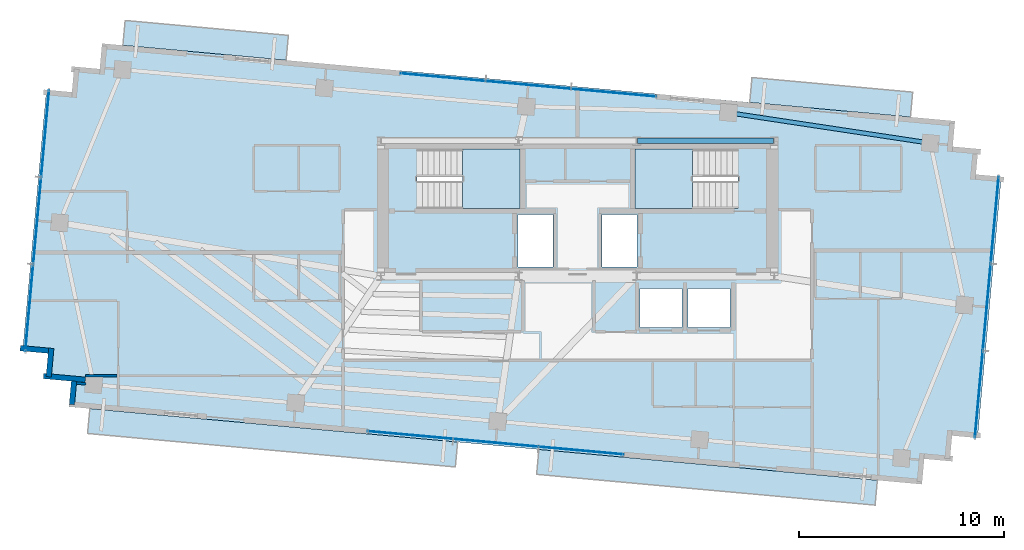
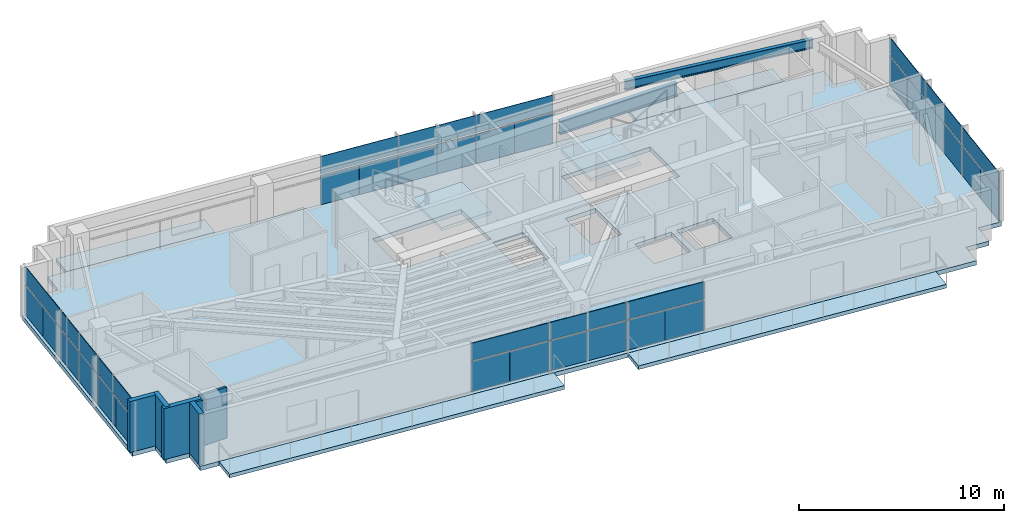
# One storey, part 15 of 22: 36 plates, 7 slabs, 6 walls, 2 beams, 6 elements without a shape of their own.
"""IFC4 building model written with IfcOpenShell, lengths in metres."""

import ifcopenshell
import ifcopenshell.guid

model = None  # the IFC model being written
_history = None  # IfcOwnerHistory: only IFC2X3 demands one
_inside = {}  # id of a spatial element -> (the spatial element, [elements in it])
_under = {}  # id of a project, library or spatial element -> (it, [spatial elements below it])
_declared = {}  # id of a project -> (the project, [libraries it declares])
_typed = {}  # id of a type object -> (the type object, [elements of that type])
_made_of = {}  # id of a material, layer set ... -> (it, [elements and type objects made of it])


def new_model(schema):
    """Start an empty IFC model of exactly this schema.

    Asked for "IFC4X3", IfcOpenShell would pick the latest addendum, in which some entities
    have other attributes; the version numbers below select the first issue.
    IFC2X3 requires an IfcOwnerHistory on every rooted entity: one is made here for all.
    """
    global model, _history
    if schema == "IFC4X3":
        model = ifcopenshell.file(schema_version=(4, 3, 0, 0))
    else:
        model = ifcopenshell.file(schema=schema)
    _inside.clear()
    _under.clear()
    _declared.clear()
    _typed.clear()
    _made_of.clear()
    _history = None
    if model.schema == "IFC2X3":
        org = make("IfcOrganization", Name="unknown")
        user = make(
            "IfcPersonAndOrganization",
            ThePerson=make("IfcPerson", FamilyName="unknown"),
            TheOrganization=org,
        )
        app = make(
            "IfcApplication",
            ApplicationDeveloper=org,
            Version="unknown",
            ApplicationFullName="unknown",
            ApplicationIdentifier="unknown",
        )
        _history = make(
            "IfcOwnerHistory",
            OwningUser=user,
            OwningApplication=app,
            ChangeAction="ADDED",
            CreationDate=0,
        )
    return model


def make(cls, **values):
    """One entity of the class cls with the attributes given. An attribute that is None is left unset."""
    return model.create_entity(
        cls, **{name: value for name, value in values.items() if value is not None}
    )


def rooted(cls, **values):
    """An entity with a GlobalId (a new one), such as an element, a storey or a relation."""
    return make(cls, GlobalId=ifcopenshell.guid.new(), OwnerHistory=_history, **values)


def si_unit(unit_type, name, prefix=None):
    """IfcSIUnit, for example si_unit("LENGTHUNIT", "METRE", prefix="MILLI")."""
    return make("IfcSIUnit", UnitType=unit_type, Prefix=prefix, Name=name)


def assignment(units):
    """IfcUnitAssignment: the units of a project."""
    return None if units is None else make("IfcUnitAssignment", Units=units)


def point(xyz):
    """IfcCartesianPoint."""
    return None if xyz is None else make("IfcCartesianPoint", Coordinates=xyz)


def direction(xyz):
    """IfcDirection."""
    return None if xyz is None else make("IfcDirection", DirectionRatios=xyz)


def frame(location, z_axis=None, x_axis=None):
    """IfcAxis2Placement3D, a coordinate frame: its origin and axes. An axis left out is left unset."""
    return make(
        "IfcAxis2Placement3D",
        Location=point(location),
        Axis=direction(z_axis),
        RefDirection=direction(x_axis),
    )


def frame_2d(location, x_axis=None):
    """IfcAxis2Placement2D, a coordinate frame in the plane: its origin and x axis."""
    return make(
        "IfcAxis2Placement2D", Location=point(location), RefDirection=direction(x_axis)
    )


def origin():
    """The frame at (0, 0, 0) with its axes left unset."""
    return frame((0.0, 0.0, 0.0))


def origin_2d():
    """The frame at (0, 0) in the plane with its x axis left unset."""
    return frame_2d((0.0, 0.0))


def place(relative_to, where):
    """IfcLocalPlacement: puts the frame where relative to a parent placement (None: the world)."""
    return make(
        "IfcLocalPlacement", PlacementRelTo=relative_to, RelativePlacement=where
    )


def context(
    kind, dimensions, precision=None, world=None, true_north=None, identifier=None
):
    """IfcGeometricRepresentationContext, for example the 3D "Model" context."""
    return make(
        "IfcGeometricRepresentationContext",
        ContextIdentifier=identifier,
        ContextType=kind,
        CoordinateSpaceDimension=dimensions,
        Precision=precision,
        WorldCoordinateSystem=world,
        TrueNorth=true_north,
    )


def subcontext(parent, identifier, kind, view, scale=None):
    """IfcGeometricRepresentationSubContext, for example "Body" below "Model"."""
    return make(
        "IfcGeometricRepresentationSubContext",
        ContextIdentifier=identifier,
        ContextType=kind,
        ParentContext=parent,
        TargetScale=scale,
        TargetView=view,
    )


def project(units=None, contexts=None):
    """IfcProject with its units and contexts."""
    return rooted(
        "IfcProject",
        Name="project",
        RepresentationContexts=contexts,
        UnitsInContext=assignment(units),
    )


def spatial(cls, under=None, at=None, **own):
    """A site, building, storey or space (cls), placed at a placement, below another one or the project."""
    s = rooted(cls, ObjectPlacement=at, **own)
    if under is not None:
        _under.setdefault(under.id(), (under, []))[1].append(s)
    return s


def polyline(points):
    """IfcPolyline through the points."""
    return make("IfcPolyline", Points=[point(p) for p in points])


def profile(cls, at=None, kind="AREA", **sizes):
    """A parametric profile (cls). Its sizes go by their IFC names, for example OverallWidth=200.0."""
    return make(cls, ProfileType=kind, Position=at, **sizes)


def rectangle(**sizes):
    """IfcRectangleProfileDef."""
    return profile("IfcRectangleProfileDef", **sizes)


def i_section(**sizes):
    """IfcIShapeProfileDef."""
    return profile("IfcIShapeProfileDef", **sizes)


def outline(outer, holes=None, kind="AREA"):
    """IfcArbitraryClosedProfileDef: a profile drawn as a closed curve; with holes, ...WithVoids."""
    if holes is None:
        return make("IfcArbitraryClosedProfileDef", ProfileType=kind, OuterCurve=outer)
    return make(
        "IfcArbitraryProfileDefWithVoids",
        ProfileType=kind,
        OuterCurve=outer,
        InnerCurves=holes,
    )


def extrude(swept, where, along, depth):
    """IfcExtrudedAreaSolid: the profile swept, set in the frame where, extruded along a direction by depth."""
    return make(
        "IfcExtrudedAreaSolid",
        SweptArea=swept,
        Position=where,
        ExtrudedDirection=direction(along),
        Depth=depth,
    )


def shape(context_of_items, identifier, shape_type, items):
    """IfcShapeRepresentation: the items that make up one representation, for example the "Body"."""
    return make(
        "IfcShapeRepresentation",
        ContextOfItems=context_of_items,
        RepresentationIdentifier=identifier,
        RepresentationType=shape_type,
        Items=items,
    )


def source(mapping_origin, context_of_items, identifier, shape_type, items):
    """IfcRepresentationMap: a shape defined once, which mapped items show again and again."""
    return make(
        "IfcRepresentationMap",
        MappingOrigin=mapping_origin,
        MappedRepresentation=shape(context_of_items, identifier, shape_type, items),
    )


def transform(
    local_origin,
    x_axis=None,
    y_axis=None,
    z_axis=None,
    scale=None,
    scale2=None,
    scale3=None,
    uniform=True,
):
    """IfcCartesianTransformationOperator3D, or its non-uniform kind. x_axis, y_axis, z_axis: its Axis1, 2, 3."""
    if uniform:
        return make(
            "IfcCartesianTransformationOperator3D",
            Axis1=direction(x_axis),
            Axis2=direction(y_axis),
            LocalOrigin=point(local_origin),
            Scale=scale,
            Axis3=direction(z_axis),
        )
    return make(
        "IfcCartesianTransformationOperator3DnonUniform",
        Axis1=direction(x_axis),
        Axis2=direction(y_axis),
        LocalOrigin=point(local_origin),
        Scale=scale,
        Axis3=direction(z_axis),
        Scale2=scale2,
        Scale3=scale3,
    )


def mapped(mapping_source, mapping_target):
    """IfcMappedItem: shows the shape of a source again, moved by a transform."""
    return make(
        "IfcMappedItem", MappingSource=mapping_source, MappingTarget=mapping_target
    )


def material(Name=None, Category=None):
    """IfcMaterial."""
    return make("IfcMaterial", Name=Name, Category=Category)


def layer(
    of_material, thickness, ventilated=None, Name=None, Category=None, Priority=None
):
    """IfcMaterialLayer: one layer of a wall or slab, of a material (None: an air gap)."""
    return make(
        "IfcMaterialLayer",
        Material=of_material,
        LayerThickness=thickness,
        IsVentilated=ventilated,
        Name=Name,
        Category=Category,
        Priority=Priority,
    )


def layer_set(layers, Name=None):
    """IfcMaterialLayerSet."""
    return make("IfcMaterialLayerSet", MaterialLayers=layers, LayerSetName=Name)


def material_profile(
    of_material, cross_section, Name=None, Category=None, Priority=None
):
    """IfcMaterialProfile: a cross section and its material."""
    return make(
        "IfcMaterialProfile",
        Name=Name,
        Material=of_material,
        Profile=cross_section,
        Priority=Priority,
        Category=Category,
    )


def profile_set(profiles, Name=None, composite=None):
    """IfcMaterialProfileSet."""
    return make(
        "IfcMaterialProfileSet",
        Name=Name,
        MaterialProfiles=profiles,
        CompositeProfile=composite,
    )


def made_of(thing, what):
    """Note that an element or type object is made of a material, layer set ...; save() writes the relation."""
    if what is not None:
        _made_of.setdefault(what.id(), (what, []))[1].append(thing)
    return thing


def type_object(cls, material=None, **own):
    """A type object (cls), such as IfcWallType, which elements share."""
    return made_of(rooted(cls, **own), material)


def type_shapes(of_type, sources):
    """Give a type object the sources (RepresentationMaps) that its elements show as mapped items."""
    of_type.RepresentationMaps = sources


def element(
    cls,
    number,
    at=None,
    inside=None,
    cuts=None,
    type_object=None,
    material=None,
    context=None,
    identifier="Body",
    shape_type=None,
    held_by="IfcProductDefinitionShape",
    body=None,
    shapes=None,
    **own,
):
    """One element of the class cls, such as IfcWall. Its Tag is "e" and its number.

    at: its placement. inside: the storey or other place that contains it. cuts: it is an
    opening in that element (IfcRelVoidsElement). A single representation is given by context,
    identifier, shape_type and body (its items); several are given by shapes. held_by: the class
    of the entity that holds the representations. save() writes the other relations.
    """
    e = rooted(cls, Tag="e%d" % number, ObjectPlacement=at, **own)
    if body is not None:
        shapes = [shape(context, identifier, shape_type, body)]
    if shapes is not None:
        e.Representation = make(held_by, Representations=shapes)
    if inside is not None:
        _inside.setdefault(inside.id(), (inside, []))[1].append(e)
    if cuts is not None:
        rooted(
            "IfcRelVoidsElement", RelatingBuildingElement=cuts, RelatedOpeningElement=e
        )
    if type_object is not None:
        _typed.setdefault(type_object.id(), (type_object, []))[1].append(e)
    return made_of(e, material)


def aggregate(whole, parts):
    """IfcRelAggregates: a whole, such as a stair, and the parts it consists of."""
    return rooted("IfcRelAggregates", RelatingObject=whole, RelatedObjects=parts)


def save(model, path):
    """Write the relations noted so far, then the file.

    IfcRelAggregates (storeys below a building ...), IfcRelContainedInSpatialStructure (elements
    in a storey), IfcRelDefinesByType, IfcRelAssociatesMaterial and IfcRelDeclares: one each for
    every whole, place, type object, material and project.
    """
    for whole, parts in _under.values():
        aggregate(whole, parts)
    for where, things in _inside.values():
        rooted(
            "IfcRelContainedInSpatialStructure",
            RelatedElements=things,
            RelatingStructure=where,
        )
    for kind, things in _typed.values():
        rooted("IfcRelDefinesByType", RelatedObjects=things, RelatingType=kind)
    for what, things in _made_of.values():
        rooted("IfcRelAssociatesMaterial", RelatedObjects=things, RelatingMaterial=what)
    for by, libraries in _declared.values():
        rooted("IfcRelDeclares", RelatingContext=by, RelatedDefinitions=libraries)
    model.write(path)


model = new_model("IFC4")

# Units and contexts
model_context = context("Model", 3, precision=1e-05, world=origin(), true_north=direction((0.0, 1.0)))
body_context = subcontext(model_context, "Body", "Model", "MODEL_VIEW")
ifc_project = project(units=[si_unit("LENGTHUNIT", "METRE"), si_unit("AREAUNIT", "SQUARE_METRE"), si_unit("VOLUMEUNIT", "CUBIC_METRE"), si_unit("PLANEANGLEUNIT", "RADIAN"), si_unit("MASSUNIT", "GRAM", prefix="KILO")], contexts=[model_context])

# Site, building, storey
site_placement = place(None, origin())
site = spatial("IfcSite", under=ifc_project, at=site_placement, CompositionType="ELEMENT")
building_placement = place(site_placement, origin())
building = spatial("IfcBuilding", under=site, at=building_placement, Name="Astriad Promenade Condominiums", CompositionType="ELEMENT")
storey_placement = place(building_placement, frame((0.0, 0.0, 249.60009765625)))
storey = spatial("IfcBuildingStorey", under=building, at=storey_placement, Name="L72", CompositionType="ELEMENT", Elevation=249.60009765625)

# Beams
ifc_material_1 = material(Name="Steel ASTM A992 Grade 50", Category="steel")
ifc_material_profile_1 = material_profile(ifc_material_1, i_section(OverallWidth=0.267822265625, OverallDepth=0.76953125, WebThickness=0.015625, FlangeThickness=0.025390625, FilletRadius=0.021484375, at=origin_2d()), Name="W30X132")
ifc_profile_set_1 = profile_set([ifc_material_profile_1], Name="Steel ASTM A992 Grade 50")
beam_type_1 = type_object("IfcBeamType", Name="STEEL FLOOR GIRDER W30X132", PredefinedType="BEAM", material=ifc_profile_set_1)
shared_shape_1 = source(origin(), body_context, "Body", "SweptSolid", [
    extrude(i_section(OverallWidth=0.267822265625, OverallDepth=0.76953125, WebThickness=0.015625, FlangeThickness=0.025390625, FilletRadius=0.021484375, at=origin_2d()), origin(), (0.0, 0.0, 1.0), 6.64013671875),
])
type_shapes(beam_type_1, [shared_shape_1])
beam_1_placement = place(storey_placement, frame((38.919921875, 24.0, 2.655029296875), z_axis=(1.0, 0.0, 0.0), x_axis=(0.0, 1.0, 0.0)))
element("IfcBeam", 1, at=beam_1_placement, inside=storey, type_object=beam_type_1, Name="Core Ring Beam CG-N3-L72", PredefinedType="BEAM", context=body_context, shape_type="MappedRepresentation", body=[
    mapped(shared_shape_1, transform((0.0, 0.0, 0.0), scale=1.0)),
])
ifc_material_profile_2 = material_profile(ifc_material_1, i_section(OverallWidth=0.210693359375, OverallDepth=0.53955078125, WebThickness=0.01171875, FlangeThickness=0.018798828125, FilletRadius=0.0166015625, at=origin_2d()), Name="W21X73")
ifc_profile_set_2 = profile_set([ifc_material_profile_2], Name="Steel ASTM A992 Grade 50")
beam_type_2 = type_object("IfcBeamType", Name="STEEL SPANDREL BEAM W21X73", PredefinedType="SPANDREL", material=ifc_profile_set_2)
shared_shape_2 = source(origin(), body_context, "Body", "SweptSolid", [
    extrude(i_section(OverallWidth=0.210693359375, OverallDepth=0.53955078125, WebThickness=0.01171875, FlangeThickness=0.018798828125, FilletRadius=0.0166015625, at=origin_2d()), origin(), (0.0, 0.0, 1.0), 9.890869140625),
])
type_shapes(beam_type_2, [shared_shape_2])
beam_2_placement = place(storey_placement, frame((53.1787109375, 23.899658203125, 2.77001953125), z_axis=(-0.988827455442, 0.149064628143, 0.0), x_axis=(-0.149064628143, -0.988827455442, 0.0)))
element("IfcBeam", 2, at=beam_2_placement, inside=storey, type_object=beam_type_2, Name="Perimeter Spandrel Beam SP-N4-L72", PredefinedType="SPANDREL", context=body_context, shape_type="MappedRepresentation", body=[
    mapped(shared_shape_2, transform((0.0, 0.0, 0.0), scale=1.0)),
])

# Slab
ifc_material_2 = material(Name="Concrete C50/60", Category="concrete")
ifc_layer_1 = layer(ifc_material_2, 0.260009765625)
ifc_layer_set_1 = layer_set([ifc_layer_1], Name="Concrete C50/60")
slab_type_1 = type_object("IfcSlabType", Name="CONCRETE TOWER FLOOR SLAB 260", PredefinedType="FLOOR", material=ifc_layer_set_1)
slab_1_placement = place(storey_placement, frame((0.0, 0.0, -0.260009765625)))
element("IfcSlab", 3, at=slab_1_placement, inside=storey, type_object=slab_type_1, Name="Structural Floor Slab (L72)", PredefinedType="FLOOR", context=body_context, shape_type="SweptSolid", body=[
    extrude(outline(polyline([(11.179443359375, 11.03076171875), (52.807373046875, 7.242431640625), (52.920654296875, 8.4873046875), (54.16552734375, 8.3740234375), (54.27880859375, 9.618896484375), (55.523681640625, 9.505615234375), (56.68359375, 22.2529296875), (55.43896484375, 22.3662109375), (55.55224609375, 23.611083984375), (54.307373046875, 23.724365234375), (54.420654296875, 24.96923828125), (12.79248046875, 28.757568359375), (12.679443359375, 27.5126953125), (11.4345703125, 27.6259765625), (11.3212890625, 26.381103515625), (10.076416015625, 26.494384765625), (8.916259765625, 13.7470703125), (10.1611328125, 13.6337890625), (10.0478515625, 12.388916015625), (11.292724609375, 12.275634765625), (11.179443359375, 11.03076171875)]), holes=[polyline([(28.175048828125, 20.699951171875), (33.175048828125, 20.699951171875), (33.175048828125, 23.60009765625), (28.175048828125, 23.60009765625), (28.175048828125, 20.699951171875)]), polyline([(38.824951171875, 20.699951171875), (43.824951171875, 20.699951171875), (43.824951171875, 23.60009765625), (38.824951171875, 23.60009765625), (38.824951171875, 20.699951171875)]), polyline([(33.10009765625, 17.85009765625), (34.800048828125, 17.85009765625), (34.800048828125, 20.39990234375), (33.10009765625, 20.39990234375), (33.10009765625, 17.85009765625)]), polyline([(37.199951171875, 17.85009765625), (38.89990234375, 17.85009765625), (38.89990234375, 20.39990234375), (37.199951171875, 20.39990234375), (37.199951171875, 17.85009765625)]), polyline([(39.050048828125, 14.89990234375), (41.10009765625, 14.89990234375), (41.10009765625, 16.800048828125), (39.050048828125, 16.800048828125), (39.050048828125, 14.89990234375)]), polyline([(41.39990234375, 14.89990234375), (43.449951171875, 14.89990234375), (43.449951171875, 16.800048828125), (41.39990234375, 16.800048828125), (41.39990234375, 14.89990234375)])]), origin(), (0.0, 0.0, 1.0), 0.260009765625),
])

# Stair, slab
stair_type = type_object("IfcStairType", Name="STR-CORE-1350", PredefinedType="HALF_TURN_STAIR", material=ifc_material_2)
stair_1_placement = place(storey_placement, origin())
stair_1 = element("IfcStair", 4, at=stair_1_placement, inside=storey, type_object=stair_type, Name="L72 Enclosed Core Exit Stair ST-1", PredefinedType="HALF_TURN_STAIR")
ifc_layer_2 = layer(ifc_material_2, 0.219970703125)
ifc_layer_set_2 = layer_set([ifc_layer_2], Name="Concrete C50/60")
slab_type_2 = type_object("IfcSlabType", Name="SLB-LANDING-220", PredefinedType="LANDING", material=ifc_layer_set_2)
slab_2_placement = place(storey_placement, frame((0.0, 0.0, 1.449951171875)))
slab_2 = element("IfcSlab", 5, at=slab_2_placement, type_object=slab_type_2, Name="ST-1 landing 1", PredefinedType="LANDING", context=body_context, shape_type="SweptSolid", body=[
    extrude(outline(polyline([(30.389892578125, 20.699951171875), (33.199951171875, 20.699951171875), (33.199951171875, 23.60009765625), (30.389892578125, 23.60009765625), (30.389892578125, 20.699951171875)])), origin(), (0.0, 0.0, 1.0), 0.199951171875),
])
aggregate(stair_1, [slab_2])

stair_2_placement = place(storey_placement, origin())
stair_2 = element("IfcStair", 6, at=stair_2_placement, inside=storey, type_object=stair_type, Name="L72 Enclosed Core Exit Stair ST-2", PredefinedType="HALF_TURN_STAIR")
slab_3_placement = place(storey_placement, frame((0.0, 0.0, 1.449951171875)))
slab_3 = element("IfcSlab", 7, at=slab_3_placement, type_object=slab_type_2, Name="ST-2 landing 1", PredefinedType="LANDING", context=body_context, shape_type="SweptSolid", body=[
    extrude(outline(polyline([(41.610107421875, 23.60009765625), (38.800048828125, 23.60009765625), (38.800048828125, 20.699951171875), (41.610107421875, 20.699951171875), (41.610107421875, 23.60009765625)])), origin(), (0.0, 0.0, 1.0), 0.199951171875),
])
aggregate(stair_2, [slab_3])

# Slabs
ifc_material_3 = material(Name="Precast concrete C50/60", Category="concrete")
ifc_layer_3 = layer(ifc_material_3, 0.219970703125)
ifc_layer_set_3 = layer_set([ifc_layer_3], Name="Precast concrete C50/60")
slab_type_3 = type_object("IfcSlabType", Name="WHITE PRECAST CONCRETE WAVE BALCONY SLAB 220", PredefinedType="FLOOR", material=ifc_layer_set_3)
slab_4_placement = place(storey_placement, frame((0.0, 0.0, -0.22021484375)))
element("IfcSlab", 8, at=slab_4_placement, inside=storey, type_object=slab_type_3, Name="White Precast Wave Balcony Slab BAL-L72-SW", PredefinedType="FLOOR", context=body_context, shape_type="SweptSolid", body=[
    extrude(outline(polyline([(30.034423828125, 8.08984375), (12.08349609375, 9.723388671875), (12.194091796875, 10.9365234375), (30.144775390625, 9.302734375), (30.034423828125, 8.08984375)])), origin(), (0.0, 0.0, 1.0), 0.22021484375),
])
slab_5_placement = place(storey_placement, frame((0.0, 0.0, -0.22021484375)))
element("IfcSlab", 9, at=slab_5_placement, inside=storey, type_object=slab_type_3, Name="White Precast Wave Balcony Slab BAL-L72-SE", PredefinedType="FLOOR", context=body_context, shape_type="SweptSolid", body=[
    extrude(outline(polyline([(50.520751953125, 6.2255859375), (34.001953125, 7.728759765625), (34.1123046875, 8.941650390625), (50.631103515625, 7.4384765625), (50.520751953125, 6.2255859375)])), origin(), (0.0, 0.0, 1.0), 0.22021484375),
])
slab_6_placement = place(storey_placement, frame((0.0, 0.0, -0.22021484375)))
element("IfcSlab", 10, at=slab_6_placement, inside=storey, type_object=slab_type_3, Name="White Precast Wave Balcony Slab BAL-L72-NW", PredefinedType="FLOOR", context=body_context, shape_type="SweptSolid", body=[
    extrude(outline(polyline([(13.91796875, 29.880126953125), (21.885986328125, 29.155029296875), (21.775634765625, 27.942138671875), (13.8076171875, 28.667236328125), (13.91796875, 29.880126953125)])), origin(), (0.0, 0.0, 1.0), 0.22021484375),
])
slab_7_placement = place(storey_placement, frame((0.0, 0.0, -0.22021484375)))
element("IfcSlab", 11, at=slab_7_placement, inside=storey, type_object=slab_type_3, Name="White Precast Wave Balcony Slab BAL-L72-NE", PredefinedType="FLOOR", context=body_context, shape_type="SweptSolid", body=[
    extrude(outline(polyline([(44.5126953125, 27.095947265625), (52.355224609375, 26.382080078125), (52.244873046875, 25.169189453125), (44.402099609375, 25.8828125), (44.5126953125, 27.095947265625)])), origin(), (0.0, 0.0, 1.0), 0.22021484375),
])

# Curtain wall, plates
ifc_material_4 = material(Name="Anodised aluminium Black Dark Glass Unitised", Category="aluminium")
curtain_wall_type = type_object("IfcCurtainWallType", Name="CW-B5-DARK", PredefinedType="USERDEFINED", material=ifc_material_4)
curtain_wall_1_placement = place(storey_placement, origin())
curtain_wall_1 = element("IfcCurtainWall", 12, at=curtain_wall_1_placement, inside=storey, type_object=curtain_wall_type, Name="CW-L72-W", ObjectType="UNITISED_CURTAIN_WALL", PredefinedType="USERDEFINED")
ifc_material_5 = material(Name="Dark Tinted Low-E Laminated Glass", Category="glass")
ifc_layer_4 = layer(ifc_material_5, 0.035888671875)
ifc_layer_set_4 = layer_set([ifc_layer_4], Name="Dark Tinted Low-E Laminated Glass")
plate_type = type_object("IfcPlateType", Name="PNL-DARK-GLASS-36", PredefinedType="CURTAIN_PANEL", material=ifc_layer_set_4)
shared_shape_3 = source(origin(), body_context, "Body", "SweptSolid", [
    extrude(rectangle(XDim=2.121337890625, YDim=0.035888671875, at=origin_2d()), origin(), (0.0, 0.0, 1.0), 1.764892578125),
])
plate_1_placement = place(storey_placement, frame((9.142578125, 14.797607421875, 0.080078125), z_axis=(0.0, 0.0, 1.0), x_axis=(0.090632580198, 0.995884398616, 0.0)))
plate_1 = element("IfcPlate", 13, at=plate_1_placement, type_object=plate_type, Name="CW-L72-W-PNL-00-VL", PredefinedType="CURTAIN_PANEL", context=body_context, shape_type="MappedRepresentation", body=[
    mapped(shared_shape_3, transform((0.0, 0.0, 0.0), scale=1.0)),
])
plate_2_placement = place(storey_placement, frame((9.335693359375, 16.922119140625, 0.080078125), z_axis=(0.0, 0.0, 1.0), x_axis=(0.090632580198, 0.995884398616, 0.0)))
plate_2 = element("IfcPlate", 14, at=plate_2_placement, type_object=plate_type, Name="CW-L72-W-PNL-00-VR", PredefinedType="CURTAIN_PANEL", context=body_context, shape_type="MappedRepresentation", body=[
    mapped(shared_shape_3, transform((0.0, 0.0, 0.0), scale=1.0)),
])
plate_3_placement = place(storey_placement, frame((9.529296875, 19.046630859375, 0.080078125), z_axis=(0.0, 0.0, 1.0), x_axis=(0.090632580198, 0.995884398616, 0.0)))
plate_3 = element("IfcPlate", 15, at=plate_3_placement, type_object=plate_type, Name="CW-L72-W-PNL-01-VL", PredefinedType="CURTAIN_PANEL", context=body_context, shape_type="MappedRepresentation", body=[
    mapped(shared_shape_3, transform((0.0, 0.0, 0.0), scale=1.0)),
])
plate_4_placement = place(storey_placement, frame((9.722412109375, 21.17138671875, 0.080078125), z_axis=(0.0, 0.0, 1.0), x_axis=(0.090632580198, 0.995884398616, 0.0)))
plate_4 = element("IfcPlate", 16, at=plate_4_placement, type_object=plate_type, Name="CW-L72-W-PNL-01-VR", PredefinedType="CURTAIN_PANEL", context=body_context, shape_type="MappedRepresentation", body=[
    mapped(shared_shape_3, transform((0.0, 0.0, 0.0), scale=1.0)),
])
plate_5_placement = place(storey_placement, frame((9.916015625, 23.2958984375, 0.080078125), z_axis=(0.0, 0.0, 1.0), x_axis=(0.090632580198, 0.995884398616, 0.0)))
plate_5 = element("IfcPlate", 17, at=plate_5_placement, type_object=plate_type, Name="CW-L72-W-PNL-02-VL", PredefinedType="CURTAIN_PANEL", context=body_context, shape_type="MappedRepresentation", body=[
    mapped(shared_shape_3, transform((0.0, 0.0, 0.0), scale=1.0)),
])
plate_6_placement = place(storey_placement, frame((10.109130859375, 25.42041015625, 0.080078125), z_axis=(0.0, 0.0, 1.0), x_axis=(0.090632580198, 0.995884398616, 0.0)))
plate_6 = element("IfcPlate", 18, at=plate_6_placement, type_object=plate_type, Name="CW-L72-W-PNL-02-VR", PredefinedType="CURTAIN_PANEL", context=body_context, shape_type="MappedRepresentation", body=[
    mapped(shared_shape_3, transform((0.0, 0.0, 0.0), scale=1.0)),
])

curtain_wall_2_placement = place(storey_placement, origin())
curtain_wall_2 = element("IfcCurtainWall", 19, at=curtain_wall_2_placement, inside=storey, type_object=curtain_wall_type, Name="CW-L72-E", ObjectType="UNITISED_CURTAIN_WALL", PredefinedType="USERDEFINED")
plate_7_placement = place(storey_placement, frame((56.45751953125, 21.202392578125, 0.080078125), z_axis=(0.0, 0.0, 1.0), x_axis=(-0.090632580198, -0.995884398616, 0.0)))
plate_7 = element("IfcPlate", 20, at=plate_7_placement, type_object=plate_type, Name="CW-L72-E-PNL-00-VL", PredefinedType="CURTAIN_PANEL", context=body_context, shape_type="MappedRepresentation", body=[
    mapped(shared_shape_3, transform((0.0, 0.0, 0.0), scale=1.0)),
])
plate_8_placement = place(storey_placement, frame((56.26416015625, 19.077880859375, 0.080078125), z_axis=(0.0, 0.0, 1.0), x_axis=(-0.090632580198, -0.995884398616, 0.0)))
plate_8 = element("IfcPlate", 21, at=plate_8_placement, type_object=plate_type, Name="CW-L72-E-PNL-00-VR", PredefinedType="CURTAIN_PANEL", context=body_context, shape_type="MappedRepresentation", body=[
    mapped(shared_shape_3, transform((0.0, 0.0, 0.0), scale=1.0)),
])
plate_9_placement = place(storey_placement, frame((56.07080078125, 16.953369140625, 0.080078125), z_axis=(0.0, 0.0, 1.0), x_axis=(-0.090632580198, -0.995884398616, 0.0)))
plate_9 = element("IfcPlate", 22, at=plate_9_placement, type_object=plate_type, Name="CW-L72-E-PNL-01-VL", PredefinedType="CURTAIN_PANEL", context=body_context, shape_type="MappedRepresentation", body=[
    mapped(shared_shape_3, transform((0.0, 0.0, 0.0), scale=1.0)),
])
plate_10_placement = place(storey_placement, frame((55.87744140625, 14.82861328125, 0.080078125), z_axis=(0.0, 0.0, 1.0), x_axis=(-0.090632580198, -0.995884398616, 0.0)))
plate_10 = element("IfcPlate", 23, at=plate_10_placement, type_object=plate_type, Name="CW-L72-E-PNL-01-VR", PredefinedType="CURTAIN_PANEL", context=body_context, shape_type="MappedRepresentation", body=[
    mapped(shared_shape_3, transform((0.0, 0.0, 0.0), scale=1.0)),
])
plate_11_placement = place(storey_placement, frame((55.68408203125, 12.7041015625, 0.080078125), z_axis=(0.0, 0.0, 1.0), x_axis=(-0.090632580198, -0.995884398616, 0.0)))
plate_11 = element("IfcPlate", 24, at=plate_11_placement, type_object=plate_type, Name="CW-L72-E-PNL-02-VL", PredefinedType="CURTAIN_PANEL", context=body_context, shape_type="MappedRepresentation", body=[
    mapped(shared_shape_3, transform((0.0, 0.0, 0.0), scale=1.0)),
])
plate_12_placement = place(storey_placement, frame((55.49072265625, 10.57958984375, 0.080078125), z_axis=(0.0, 0.0, 1.0), x_axis=(-0.090632580198, -0.995884398616, 0.0)))
plate_12 = element("IfcPlate", 25, at=plate_12_placement, type_object=plate_type, Name="CW-L72-E-PNL-02-VR", PredefinedType="CURTAIN_PANEL", context=body_context, shape_type="MappedRepresentation", body=[
    mapped(shared_shape_3, transform((0.0, 0.0, 0.0), scale=1.0)),
])

# Plate
shared_shape_4 = source(origin(), body_context, "Body", "SweptSolid", [
    extrude(rectangle(XDim=4.254638671875, YDim=0.035888671875, at=origin_2d()), origin(), (0.0, 0.0, 1.0), 1.03515625),
])
plate_13_placement = place(storey_placement, frame((9.239013671875, 15.85986328125, 1.9248046875), z_axis=(0.0, 0.0, 1.0), x_axis=(0.090632580198, 0.995884398616, 0.0)))
plate_13 = element("IfcPlate", 26, at=plate_13_placement, type_object=plate_type, Name="CW-L72-W-PNL-00-S", PredefinedType="CURTAIN_PANEL", context=body_context, shape_type="MappedRepresentation", body=[
    mapped(shared_shape_4, transform((0.0, 0.0, 0.0), scale=1.0)),
])

plate_14_placement = place(storey_placement, frame((9.625732421875, 20.10888671875, 1.9248046875), z_axis=(0.0, 0.0, 1.0), x_axis=(0.090632580198, 0.995884398616, 0.0)))
plate_14 = element("IfcPlate", 27, at=plate_14_placement, type_object=plate_type, Name="CW-L72-W-PNL-01-S", PredefinedType="CURTAIN_PANEL", context=body_context, shape_type="MappedRepresentation", body=[
    mapped(shared_shape_4, transform((0.0, 0.0, 0.0), scale=1.0)),
])

plate_15_placement = place(storey_placement, frame((10.0126953125, 24.358154296875, 1.9248046875), z_axis=(0.0, 0.0, 1.0), x_axis=(0.090632580198, 0.995884398616, 0.0)))
plate_15 = element("IfcPlate", 28, at=plate_15_placement, type_object=plate_type, Name="CW-L72-W-PNL-02-S", PredefinedType="CURTAIN_PANEL", context=body_context, shape_type="MappedRepresentation", body=[
    mapped(shared_shape_4, transform((0.0, 0.0, 0.0), scale=1.0)),
])

aggregate(curtain_wall_1, [plate_1, plate_2, plate_13, plate_3, plate_4, plate_14, plate_5, plate_6, plate_15])

plate_16_placement = place(storey_placement, frame((56.36083984375, 20.14013671875, 1.9248046875), z_axis=(0.0, 0.0, 1.0), x_axis=(-0.090632580198, -0.995884398616, 0.0)))
plate_16 = element("IfcPlate", 29, at=plate_16_placement, type_object=plate_type, Name="CW-L72-E-PNL-00-S", PredefinedType="CURTAIN_PANEL", context=body_context, shape_type="MappedRepresentation", body=[
    mapped(shared_shape_4, transform((0.0, 0.0, 0.0), scale=1.0)),
])

plate_17_placement = place(storey_placement, frame((55.97412109375, 15.89111328125, 1.9248046875), z_axis=(0.0, 0.0, 1.0), x_axis=(-0.090632580198, -0.995884398616, 0.0)))
plate_17 = element("IfcPlate", 30, at=plate_17_placement, type_object=plate_type, Name="CW-L72-E-PNL-01-S", PredefinedType="CURTAIN_PANEL", context=body_context, shape_type="MappedRepresentation", body=[
    mapped(shared_shape_4, transform((0.0, 0.0, 0.0), scale=1.0)),
])

plate_18_placement = place(storey_placement, frame((55.58740234375, 11.641845703125, 1.9248046875), z_axis=(0.0, 0.0, 1.0), x_axis=(-0.090632580198, -0.995884398616, 0.0)))
plate_18 = element("IfcPlate", 31, at=plate_18_placement, type_object=plate_type, Name="CW-L72-E-PNL-02-S", PredefinedType="CURTAIN_PANEL", context=body_context, shape_type="MappedRepresentation", body=[
    mapped(shared_shape_4, transform((0.0, 0.0, 0.0), scale=1.0)),
])

aggregate(curtain_wall_2, [plate_7, plate_8, plate_16, plate_9, plate_10, plate_17, plate_11, plate_12, plate_18])

# Curtain wall, plates
curtain_wall_3_placement = place(storey_placement, origin())
curtain_wall_3 = element("IfcCurtainWall", 32, at=curtain_wall_3_placement, inside=storey, type_object=curtain_wall_type, Name="CW-L72-N", ObjectType="UNITISED_CURTAIN_WALL", PredefinedType="USERDEFINED")
shared_shape_5 = source(origin(), body_context, "Body", "SweptSolid", [
    extrude(rectangle(XDim=2.077880859375, YDim=0.035888671875, at=origin_2d()), origin(), (0.0, 0.0, 1.0), 1.764892578125),
])
plate_19_placement = place(storey_placement, frame((28.391357421875, 27.20751953125, 0.080078125), z_axis=(0.0, 0.0, 1.0), x_axis=(0.995884398616, -0.090632580198, 0.0)))
plate_19 = element("IfcPlate", 33, at=plate_19_placement, type_object=plate_type, Name="CW-L72-N-PNL-00-VL", PredefinedType="CURTAIN_PANEL", context=body_context, shape_type="MappedRepresentation", body=[
    mapped(shared_shape_5, transform((0.0, 0.0, 0.0), scale=1.0)),
])
plate_20_placement = place(storey_placement, frame((30.47265625, 27.01806640625, 0.080078125), z_axis=(0.0, 0.0, 1.0), x_axis=(0.995884398616, -0.090632580198, 0.0)))
plate_20 = element("IfcPlate", 34, at=plate_20_placement, type_object=plate_type, Name="CW-L72-N-PNL-00-VR", PredefinedType="CURTAIN_PANEL", context=body_context, shape_type="MappedRepresentation", body=[
    mapped(shared_shape_5, transform((0.0, 0.0, 0.0), scale=1.0)),
])
plate_21_placement = place(storey_placement, frame((32.55419921875, 26.82861328125, 0.080078125), z_axis=(0.0, 0.0, 1.0), x_axis=(0.995884398616, -0.090632580198, 0.0)))
plate_21 = element("IfcPlate", 35, at=plate_21_placement, type_object=plate_type, Name="CW-L72-N-PNL-01-VL", PredefinedType="CURTAIN_PANEL", context=body_context, shape_type="MappedRepresentation", body=[
    mapped(shared_shape_5, transform((0.0, 0.0, 0.0), scale=1.0)),
])
plate_22_placement = place(storey_placement, frame((34.635498046875, 26.63916015625, 0.080078125), z_axis=(0.0, 0.0, 1.0), x_axis=(0.995884398616, -0.090632580198, 0.0)))
plate_22 = element("IfcPlate", 36, at=plate_22_placement, type_object=plate_type, Name="CW-L72-N-PNL-01-VR", PredefinedType="CURTAIN_PANEL", context=body_context, shape_type="MappedRepresentation", body=[
    mapped(shared_shape_5, transform((0.0, 0.0, 0.0), scale=1.0)),
])
plate_23_placement = place(storey_placement, frame((36.716796875, 26.44970703125, 0.080078125), z_axis=(0.0, 0.0, 1.0), x_axis=(0.995884398616, -0.090632580198, 0.0)))
plate_23 = element("IfcPlate", 37, at=plate_23_placement, type_object=plate_type, Name="CW-L72-N-PNL-02-VL", PredefinedType="CURTAIN_PANEL", context=body_context, shape_type="MappedRepresentation", body=[
    mapped(shared_shape_5, transform((0.0, 0.0, 0.0), scale=1.0)),
])
plate_24_placement = place(storey_placement, frame((38.79833984375, 26.26025390625, 0.080078125), z_axis=(0.0, 0.0, 1.0), x_axis=(0.995884398616, -0.090632580198, 0.0)))
plate_24 = element("IfcPlate", 38, at=plate_24_placement, type_object=plate_type, Name="CW-L72-N-PNL-02-VR", PredefinedType="CURTAIN_PANEL", context=body_context, shape_type="MappedRepresentation", body=[
    mapped(shared_shape_5, transform((0.0, 0.0, 0.0), scale=1.0)),
])

curtain_wall_4_placement = place(storey_placement, origin())
curtain_wall_4 = element("IfcCurtainWall", 39, at=curtain_wall_4_placement, inside=storey, type_object=curtain_wall_type, Name="CW-L72-S", ObjectType="UNITISED_CURTAIN_WALL", PredefinedType="USERDEFINED")
plate_25_placement = place(storey_placement, frame((37.208740234375, 8.79248046875, 0.080078125), z_axis=(0.0, 0.0, 1.0), x_axis=(-0.995884398616, 0.090632580198, 0.0)))
plate_25 = element("IfcPlate", 40, at=plate_25_placement, type_object=plate_type, Name="CW-L72-S-PNL-00-VL", PredefinedType="CURTAIN_PANEL", context=body_context, shape_type="MappedRepresentation", body=[
    mapped(shared_shape_5, transform((0.0, 0.0, 0.0), scale=1.0)),
])
plate_26_placement = place(storey_placement, frame((35.127197265625, 8.98193359375, 0.080078125), z_axis=(0.0, 0.0, 1.0), x_axis=(-0.995884398616, 0.090632580198, 0.0)))
plate_26 = element("IfcPlate", 41, at=plate_26_placement, type_object=plate_type, Name="CW-L72-S-PNL-00-VR", PredefinedType="CURTAIN_PANEL", context=body_context, shape_type="MappedRepresentation", body=[
    mapped(shared_shape_5, transform((0.0, 0.0, 0.0), scale=1.0)),
])
plate_27_placement = place(storey_placement, frame((33.0458984375, 9.17138671875, 0.080078125), z_axis=(0.0, 0.0, 1.0), x_axis=(-0.995884398616, 0.090632580198, 0.0)))
plate_27 = element("IfcPlate", 42, at=plate_27_placement, type_object=plate_type, Name="CW-L72-S-PNL-01-VL", PredefinedType="CURTAIN_PANEL", context=body_context, shape_type="MappedRepresentation", body=[
    mapped(shared_shape_5, transform((0.0, 0.0, 0.0), scale=1.0)),
])
plate_28_placement = place(storey_placement, frame((30.964599609375, 9.36083984375, 0.080078125), z_axis=(0.0, 0.0, 1.0), x_axis=(-0.995884398616, 0.090632580198, 0.0)))
plate_28 = element("IfcPlate", 43, at=plate_28_placement, type_object=plate_type, Name="CW-L72-S-PNL-01-VR", PredefinedType="CURTAIN_PANEL", context=body_context, shape_type="MappedRepresentation", body=[
    mapped(shared_shape_5, transform((0.0, 0.0, 0.0), scale=1.0)),
])
plate_29_placement = place(storey_placement, frame((28.883056640625, 9.55029296875, 0.080078125), z_axis=(0.0, 0.0, 1.0), x_axis=(-0.995884398616, 0.090632580198, 0.0)))
plate_29 = element("IfcPlate", 44, at=plate_29_placement, type_object=plate_type, Name="CW-L72-S-PNL-02-VL", PredefinedType="CURTAIN_PANEL", context=body_context, shape_type="MappedRepresentation", body=[
    mapped(shared_shape_5, transform((0.0, 0.0, 0.0), scale=1.0)),
])
plate_30_placement = place(storey_placement, frame((26.8017578125, 9.73974609375, 0.080078125), z_axis=(0.0, 0.0, 1.0), x_axis=(-0.995884398616, 0.090632580198, 0.0)))
plate_30 = element("IfcPlate", 45, at=plate_30_placement, type_object=plate_type, Name="CW-L72-S-PNL-02-VR", PredefinedType="CURTAIN_PANEL", context=body_context, shape_type="MappedRepresentation", body=[
    mapped(shared_shape_5, transform((0.0, 0.0, 0.0), scale=1.0)),
])

# Plate
shared_shape_6 = source(origin(), body_context, "Body", "SweptSolid", [
    extrude(rectangle(XDim=4.16796875, YDim=0.035888671875, at=origin_2d()), origin(), (0.0, 0.0, 1.0), 1.03515625),
])
type_shapes(plate_type, [shared_shape_3, shared_shape_4, shared_shape_5, shared_shape_6])
plate_31_placement = place(storey_placement, frame((29.431884765625, 27.11279296875, 1.9248046875), z_axis=(0.0, 0.0, 1.0), x_axis=(0.995884398616, -0.090632580198, 0.0)))
plate_31 = element("IfcPlate", 46, at=plate_31_placement, type_object=plate_type, Name="CW-L72-N-PNL-00-S", PredefinedType="CURTAIN_PANEL", context=body_context, shape_type="MappedRepresentation", body=[
    mapped(shared_shape_6, transform((0.0, 0.0, 0.0), scale=1.0)),
])

plate_32_placement = place(storey_placement, frame((33.5947265625, 26.73388671875, 1.9248046875), z_axis=(0.0, 0.0, 1.0), x_axis=(0.995884398616, -0.090632580198, 0.0)))
plate_32 = element("IfcPlate", 47, at=plate_32_placement, type_object=plate_type, Name="CW-L72-N-PNL-01-S", PredefinedType="CURTAIN_PANEL", context=body_context, shape_type="MappedRepresentation", body=[
    mapped(shared_shape_6, transform((0.0, 0.0, 0.0), scale=1.0)),
])

plate_33_placement = place(storey_placement, frame((37.757568359375, 26.35498046875, 1.9248046875), z_axis=(0.0, 0.0, 1.0), x_axis=(0.995884398616, -0.090632580198, 0.0)))
plate_33 = element("IfcPlate", 48, at=plate_33_placement, type_object=plate_type, Name="CW-L72-N-PNL-02-S", PredefinedType="CURTAIN_PANEL", context=body_context, shape_type="MappedRepresentation", body=[
    mapped(shared_shape_6, transform((0.0, 0.0, 0.0), scale=1.0)),
])

aggregate(curtain_wall_3, [plate_19, plate_20, plate_31, plate_21, plate_22, plate_32, plate_23, plate_24, plate_33])

plate_34_placement = place(storey_placement, frame((36.16796875, 8.88720703125, 1.9248046875), z_axis=(0.0, 0.0, 1.0), x_axis=(-0.995884398616, 0.090632580198, 0.0)))
plate_34 = element("IfcPlate", 49, at=plate_34_placement, type_object=plate_type, Name="CW-L72-S-PNL-00-S", PredefinedType="CURTAIN_PANEL", context=body_context, shape_type="MappedRepresentation", body=[
    mapped(shared_shape_6, transform((0.0, 0.0, 0.0), scale=1.0)),
])

plate_35_placement = place(storey_placement, frame((32.005126953125, 9.26611328125, 1.9248046875), z_axis=(0.0, 0.0, 1.0), x_axis=(-0.995884398616, 0.090632580198, 0.0)))
plate_35 = element("IfcPlate", 50, at=plate_35_placement, type_object=plate_type, Name="CW-L72-S-PNL-01-S", PredefinedType="CURTAIN_PANEL", context=body_context, shape_type="MappedRepresentation", body=[
    mapped(shared_shape_6, transform((0.0, 0.0, 0.0), scale=1.0)),
])

plate_36_placement = place(storey_placement, frame((27.84228515625, 9.64501953125, 1.9248046875), z_axis=(0.0, 0.0, 1.0), x_axis=(-0.995884398616, 0.090632580198, 0.0)))
plate_36 = element("IfcPlate", 51, at=plate_36_placement, type_object=plate_type, Name="CW-L72-S-PNL-02-S", PredefinedType="CURTAIN_PANEL", context=body_context, shape_type="MappedRepresentation", body=[
    mapped(shared_shape_6, transform((0.0, 0.0, 0.0), scale=1.0)),
])

aggregate(curtain_wall_4, [plate_25, plate_26, plate_34, plate_27, plate_28, plate_35, plate_29, plate_30, plate_36])

# Walls
ifc_layer_5 = layer(ifc_material_3, 0.260009765625)
ifc_layer_set_5 = layer_set([ifc_layer_5], Name="Precast concrete C50/60")
wall_type_1 = type_object("IfcWallType", Name="WALL-EXT-TWR-260", PredefinedType="STANDARD", material=ifc_layer_set_5)
wall_1_placement = place(storey_placement, frame((11.974609375, 12.34423828125, 0.0), z_axis=(0.0, 0.0, 1.0), x_axis=(-0.995885404354, 0.090621528316, 0.0)))
element("IfcWall", 52, at=wall_1_placement, inside=storey, type_object=wall_type_1, Name="W-SER-L72-00", PredefinedType="STANDARD", context=body_context, shape_type="SweptSolid", body=[
    extrude(rectangle(XDim=2.052978515625, YDim=0.260009765625, at=frame_2d((1.0263671875, 0.0))), origin(), (0.0, 0.0, 1.0), 3.039794921875),
])
wall_2_placement = place(storey_placement, frame((10.187744140625, 12.49169921875, 0.0), z_axis=(0.0, 0.0, 1.0), x_axis=(0.090646191665, 0.995883159782, 0.0)))
element("IfcWall", 53, at=wall_2_placement, inside=storey, type_object=wall_type_1, Name="W-SER-L72-01", PredefinedType="STANDARD", context=body_context, shape_type="SweptSolid", body=[
    extrude(rectangle(XDim=1.395263671875, YDim=0.260009765625, at=frame_2d((0.69775390625, 0.0))), origin(), (0.0, 0.0, 1.0), 3.039794921875),
])
wall_3_placement = place(storey_placement, frame((10.187744140625, 13.761962890625, 0.0), z_axis=(0.0, 0.0, 1.0), x_axis=(-0.995881721538, 0.090661991521, 0.0)))
element("IfcWall", 54, at=wall_3_placement, inside=storey, type_object=wall_type_1, Name="W-SER-L72-02", PredefinedType="STANDARD", context=body_context, shape_type="SweptSolid", body=[
    extrude(rectangle(XDim=1.39501953125, YDim=0.260009765625, at=frame_2d((0.697509765625, 0.0))), origin(), (0.0, 0.0, 1.0), 3.039794921875),
])
wall_4_placement = place(storey_placement, frame((11.3193359375, 11.133544921875, 0.0), z_axis=(0.0, 0.0, 1.0), x_axis=(0.090650594353, 0.995882759035, 0.0)))
element("IfcWall", 55, at=wall_4_placement, inside=storey, type_object=wall_type_1, Name="W-SER-L72-19", PredefinedType="STANDARD", context=body_context, shape_type="SweptSolid", body=[
    extrude(rectangle(XDim=1.14990234375, YDim=0.260009765625, at=frame_2d((0.574951171875, 0.0))), origin(), (0.0, 0.0, 1.0), 3.039794921875),
])
ifc_material_6 = material(Name="Acoustic Metal-Stud Gypsum Partition")
ifc_layer_6 = layer(ifc_material_6, 0.1201171875)
ifc_layer_set_6 = layer_set([ifc_layer_6], Name="Acoustic Metal-Stud Gypsum Partition")
wall_type_2 = type_object("IfcWallType", Name="WALL-PART-120", PredefinedType="PARTITIONING", material=ifc_layer_set_6)
wall_5_placement = place(storey_placement, frame((11.9921875, 12.534912109375, 0.0), z_axis=(0.0, 0.0, 1.0), x_axis=(1.0, 0.0, 0.0)))
element("IfcWall", 56, at=wall_5_placement, inside=storey, type_object=wall_type_2, Name="PT-L72-W1-CAPH2", PredefinedType="PARTITIONING", context=body_context, shape_type="SweptSolid", body=[
    extrude(rectangle(XDim=1.52685546875, YDim=0.1201171875, at=frame_2d((0.763427734375, 0.0))), origin(), (0.0, 0.0, 1.0), 3.039794921875),
])
wall_6_placement = place(storey_placement, frame((12.00341796875, 12.140625, 0.0), z_axis=(0.0, 0.0, 1.0), x_axis=(-0.995884462012, 0.090631883588, 0.0)))
element("IfcWall", 57, at=wall_6_placement, inside=storey, type_object=wall_type_2, Name="PT-PIL-L72-PC01-8", PredefinedType="PARTITIONING", context=body_context, shape_type="SweptSolid", body=[
    extrude(rectangle(XDim=0.4580078125, YDim=0.1201171875, at=frame_2d((0.22900390625, 0.0))), origin(), (0.0, 0.0, 1.0), 3.039794921875),
])

save(model, "model.ifc")
